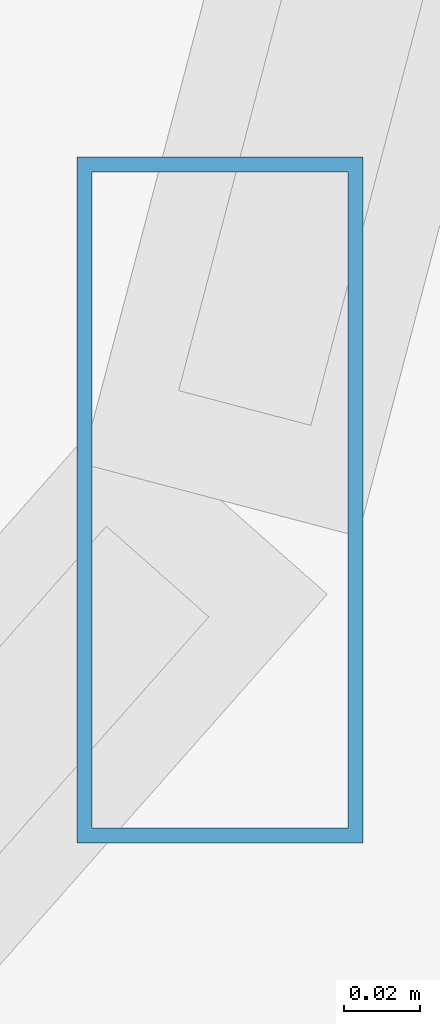
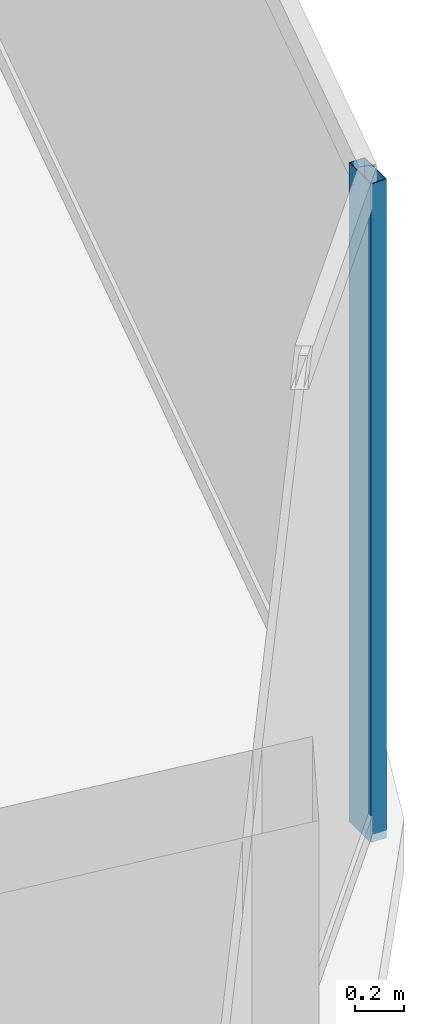
# One storey, part 14 of 29: 1 member, 1 element without a shape of its own.
"""IFC4 building model written with IfcOpenShell, lengths in metres."""

from ifc_helpers import new_model, si_unit, direction, frame, origin, origin_2d, place, context, subcontext, project, spatial, hollow_rectangle, extrude, material, material_profile, profile_set, type_object, element, aggregate, save


model = new_model("IFC4")

# Units and contexts
model_context = context("Model", 3, precision=1e-05, world=origin(), true_north=direction((0.0, 1.0)))
body_context = subcontext(model_context, "Body", "Model", "MODEL_VIEW")
ifc_project = project(units=[si_unit("LENGTHUNIT", "METRE"), si_unit("AREAUNIT", "SQUARE_METRE"), si_unit("VOLUMEUNIT", "CUBIC_METRE"), si_unit("PLANEANGLEUNIT", "RADIAN"), si_unit("MASSUNIT", "GRAM", prefix="KILO")], contexts=[model_context])

# Site, building, storey
site_placement = place(None, origin())
site = spatial("IfcSite", under=ifc_project, at=site_placement, CompositionType="ELEMENT")
building_placement = place(site_placement, origin())
building = spatial("IfcBuilding", under=site, at=building_placement, Name="Vorneva Point Tower", CompositionType="ELEMENT")
storey_placement = place(building_placement, frame((0.0, 0.0, 85.800048828125)))
storey = spatial("IfcBuildingStorey", under=building, at=storey_placement, Name="L22", CompositionType="ELEMENT", Elevation=85.800048828125)

# Curtain wall, member
ifc_material = material(Name="Pale anodised aluminium", Category="aluminium")
curtain_wall_type = type_object("IfcCurtainWallType", Name="CW-HTL-SYS", PredefinedType="NOTDEFINED", material=ifc_material)
curtain_wall_placement = place(storey_placement, origin())
curtain_wall = element("IfcCurtainWall", 1, at=curtain_wall_placement, inside=storey, type_object=curtain_wall_type, Name="L22 Unitised Curtain Wall CW-L22-R04", PredefinedType="NOTDEFINED")
ifc_material_profile = material_profile(ifc_material, hollow_rectangle(XDim=0.074951171875, YDim=0.179931640625, WallThickness=0.00390625, at=origin_2d()), Name="AL-MUL 180x75x4")
ifc_profile_set = profile_set([ifc_material_profile], Name="Pale anodised aluminium")
member_type = type_object("IfcMemberType", Name="CW-MUL-180", PredefinedType="MULLION", material=ifc_profile_set)
member_placement = place(storey_placement, frame((62.251708984375, 18.40380859375, -0.0400390625), z_axis=(0.0, 0.0, 1.0), x_axis=(1.0, 0.0, 0.0)))
member = element("IfcMember", 2, at=member_placement, type_object=member_type, Name="CW-L22-R04 Mullion 02", PredefinedType="MULLION", context=body_context, shape_type="SweptSolid", body=[
    extrude(hollow_rectangle(XDim=0.074951171875, YDim=0.179931640625, WallThickness=0.00390625, at=origin_2d()), origin(), (0.0, 0.0, 1.0), 3.31005859375),
])
aggregate(curtain_wall, [member])

save(model, "model.ifc")
